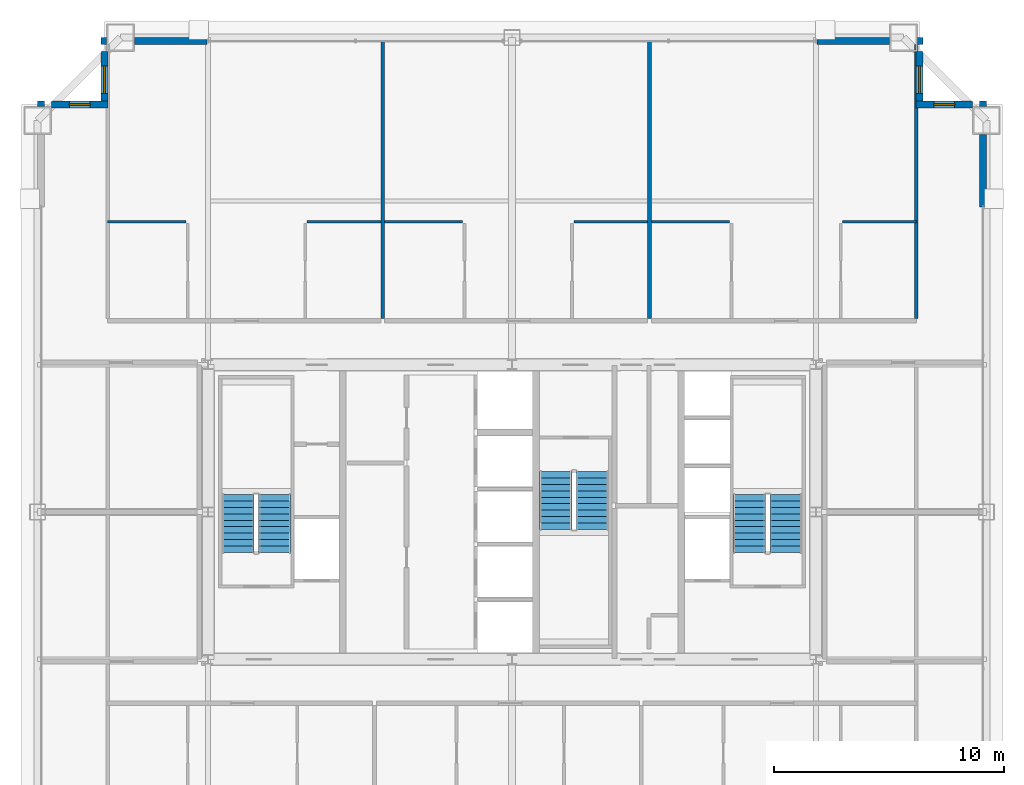
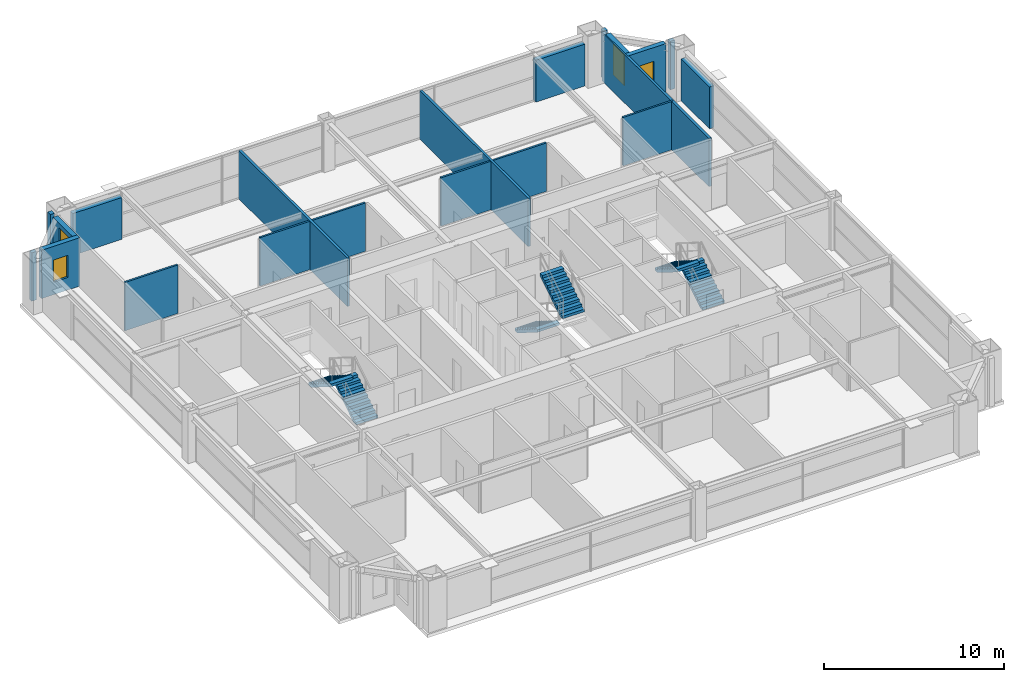
# One storey, part 35 of 36: 20 walls, 6 stair flights, 4 windows, 4 openings, 3 elements without a shape of their own.
"""IFC4 building model written with IfcOpenShell, lengths in metres."""

from ifc_helpers import new_model, si_unit, direction, frame, frame_2d, origin, place, context, subcontext, project, spatial, polyline, rectangle, outline, extrude, source, transform, mapped, material, layer, layer_set, type_object, element, fill, aggregate, save


model = new_model("IFC4")

# Units and contexts
model_context = context("Model", 3, precision=1e-05, world=origin(), true_north=direction((0.0, 1.0)))
body_context = subcontext(model_context, "Body", "Model", "MODEL_VIEW")
ifc_project = project(units=[si_unit("LENGTHUNIT", "METRE"), si_unit("AREAUNIT", "SQUARE_METRE"), si_unit("VOLUMEUNIT", "CUBIC_METRE"), si_unit("PLANEANGLEUNIT", "RADIAN"), si_unit("MASSUNIT", "GRAM", prefix="KILO"), si_unit("THERMODYNAMICTEMPERATUREUNIT", "KELVIN"), si_unit("POWERUNIT", "WATT")], contexts=[model_context])

# Site, building, storey
site_placement = place(None, origin())
site = spatial("IfcSite", under=ifc_project, at=site_placement, CompositionType="ELEMENT")
building_placement = place(site_placement, origin())
building = spatial("IfcBuilding", under=site, at=building_placement, Name="Yuzanri Waterfront Tower", CompositionType="ELEMENT")
storey_placement = place(building_placement, frame((0.0, 0.0, 238.10009765625)))
storey = spatial("IfcBuildingStorey", under=building, at=storey_placement, Name="L63", CompositionType="ELEMENT", Elevation=238.10009765625)

# Wall, opening, window
ifc_material_1 = material(Name="Honed Chongqing Dark Basalt Stone", Category="masonry")
ifc_layer_1 = layer(ifc_material_1, 0.300048828125)
ifc_layer_set_1 = layer_set([ifc_layer_1], Name="Honed Chongqing Dark Basalt Stone")
wall_type_1 = type_object("IfcWallType", Name="Bronze Rainscreen Insulated Spandrel Portal Wall 300", PredefinedType="SOLIDWALL", material=ifc_layer_set_1)
wall_1_placement = place(storey_placement, frame((19.449951171875, 43.5, 0.0), z_axis=(0.0, 0.0, 1.0), x_axis=(-1.0, 0.0, 0.0)))
wall_1 = element("IfcWall", 1, at=wall_1_placement, inside=storey, type_object=wall_type_1, Name="L63 Notched Corner Masonry Wall NW-X", PredefinedType="SOLIDWALL", context=body_context, shape_type="SweptSolid", body=[
    extrude(rectangle(XDim=2.449951171875, YDim=0.300048828125, at=frame_2d((1.22509765625, 0.0))), origin(), (0.0, 0.0, 1.0), 3.27978515625),
])
opening_1_placement = place(wall_1_placement, frame((0.77490234375, 0.0, 0.85009765625)))
opening_1 = element("IfcOpeningElement", 2, at=opening_1_placement, cuts=wall_1, Name="Opening WN-05", PredefinedType="OPENING", context=body_context, shape_type="SweptSolid", body=[
    extrude(rectangle(XDim=0.89990234375, YDim=1.5, at=frame_2d((0.449951171875, 0.75))), frame((0.0, 0.1650390625, 0.0), z_axis=(0.0, -1.0, 0.0), x_axis=(1.0, 0.0, 0.0)), (0.0, 0.0, 1.0), 0.329833984375),
])
ifc_material_2 = material(Name="Double-Silver Low-E Insulated Glass", Category="glass")
window_type_1 = type_object("IfcWindowType", Name="Anodized Bronze Service and Stairwell Smoke-Vent Window 900x1500", PartitioningType="SINGLE_PANEL", PredefinedType="WINDOW", material=ifc_material_2)
shared_shape_1 = source(origin(), body_context, "Body", "SweptSolid", [
    extrude(rectangle(XDim=0.89990234375, YDim=1.5, at=frame_2d((0.449951171875, 0.75))), frame((0.0, 0.030029296875, 0.0), z_axis=(0.0, -1.0, 0.0), x_axis=(1.0, 0.0, 0.0)), (0.0, 0.0, 1.0), 0.06005859375),
])
window_1_placement = place(opening_1_placement, origin())
window_1 = element("IfcWindow", 3, at=window_1_placement, inside=storey, type_object=window_type_1, Name="L63 Notched Corner Window NW-X", OverallHeight=1.5, OverallWidth=0.89990234375, PartitioningType="SINGLE_PANEL", PredefinedType="WINDOW", context=body_context, shape_type="MappedRepresentation", body=[
    mapped(shared_shape_1, transform((0.0, 0.0, 0.0), scale=1.0)),
])
fill(opening_1, window_1)

wall_2_placement = place(storey_placement, frame((19.300048828125, 45.800048828125, 0.0), z_axis=(0.0, 0.0, 1.0), x_axis=(0.0, -1.0, 0.0)))
wall_2 = element("IfcWall", 4, at=wall_2_placement, inside=storey, type_object=wall_type_1, Name="L63 Notched Corner Masonry Wall NW-Y", PredefinedType="SOLIDWALL", context=body_context, shape_type="SweptSolid", body=[
    extrude(rectangle(XDim=2.449951171875, YDim=0.300048828125, at=frame_2d((1.22509765625, 0.0))), origin(), (0.0, 0.0, 1.0), 3.27978515625),
])
opening_2_placement = place(wall_2_placement, frame((0.625, 0.0, 0.85009765625)))
opening_2 = element("IfcOpeningElement", 5, at=opening_2_placement, cuts=wall_2, Name="Opening WN-02", PredefinedType="OPENING", context=body_context, shape_type="SweptSolid", body=[
    extrude(rectangle(XDim=1.199951171875, YDim=2.10009765625, at=frame_2d((0.60009765625, 1.050048828125))), frame((0.0, 0.1650390625, 0.0), z_axis=(0.0, -1.0, 0.0), x_axis=(1.0, 0.0, 0.0)), (0.0, 0.0, 1.0), 0.329833984375),
])
ifc_material_3 = material(Name="Double-Silver Low-E Insulated Glass", Category="glass")
window_type_2 = type_object("IfcWindowType", Name="Anodized Bronze Notched Corner Deep-Set Slot Window 1200x2100", PartitioningType="SINGLE_PANEL", PredefinedType="WINDOW", material=ifc_material_3)
shared_shape_2 = source(origin(), body_context, "Body", "SweptSolid", [
    extrude(rectangle(XDim=1.199951171875, YDim=2.10009765625, at=frame_2d((0.60009765625, 1.050048828125))), frame((0.0, 0.030029296875, 0.0), z_axis=(0.0, -1.0, 0.0), x_axis=(1.0, 0.0, 0.0)), (0.0, 0.0, 1.0), 0.06005859375),
])
window_2_placement = place(opening_2_placement, origin())
window_2 = element("IfcWindow", 6, at=window_2_placement, inside=storey, type_object=window_type_2, Name="L63 Notched Corner Window NW-Y", OverallHeight=2.10009765625, OverallWidth=1.199951171875, PartitioningType="SINGLE_PANEL", PredefinedType="WINDOW", context=body_context, shape_type="MappedRepresentation", body=[
    mapped(shared_shape_2, transform((0.0, 0.0, 0.0), scale=1.0)),
])
fill(opening_2, window_2)

wall_3_placement = place(storey_placement, frame((57.0, 43.5, 0.0), z_axis=(0.0, 0.0, 1.0), x_axis=(-1.0, 0.0, 0.0)))
wall_3 = element("IfcWall", 7, at=wall_3_placement, inside=storey, type_object=wall_type_1, Name="L63 Notched Corner Masonry Wall NE-X", PredefinedType="SOLIDWALL", context=body_context, shape_type="SweptSolid", body=[
    extrude(rectangle(XDim=2.449951171875, YDim=0.300048828125, at=frame_2d((1.22509765625, 0.0))), origin(), (0.0, 0.0, 1.0), 3.27978515625),
])
opening_3_placement = place(wall_3_placement, frame((0.77490234375, 0.0, 0.85009765625)))
opening_3 = element("IfcOpeningElement", 8, at=opening_3_placement, cuts=wall_3, Name="Opening WN-05", PredefinedType="OPENING", context=body_context, shape_type="SweptSolid", body=[
    extrude(rectangle(XDim=0.89990234375, YDim=1.5, at=frame_2d((0.449951171875, 0.75))), frame((0.0, 0.1650390625, 0.0), z_axis=(0.0, -1.0, 0.0), x_axis=(1.0, 0.0, 0.0)), (0.0, 0.0, 1.0), 0.329833984375),
])
window_3_placement = place(opening_3_placement, origin())
window_3 = element("IfcWindow", 9, at=window_3_placement, inside=storey, type_object=window_type_1, Name="L63 Notched Corner Window NE-X", OverallHeight=1.5, OverallWidth=0.89990234375, PartitioningType="SINGLE_PANEL", PredefinedType="WINDOW", context=body_context, shape_type="MappedRepresentation", body=[
    mapped(shared_shape_1, transform((0.0, 0.0, 0.0), scale=1.0)),
])
fill(opening_3, window_3)

wall_4_placement = place(storey_placement, frame((54.699951171875, 43.35009765625, 0.0), z_axis=(0.0, 0.0, 1.0), x_axis=(0.0, 1.0, 0.0)))
wall_4 = element("IfcWall", 10, at=wall_4_placement, inside=storey, type_object=wall_type_1, Name="L63 Notched Corner Masonry Wall NE-Y", PredefinedType="SOLIDWALL", context=body_context, shape_type="SweptSolid", body=[
    extrude(rectangle(XDim=2.449951171875, YDim=0.300048828125, at=frame_2d((1.22509765625, 0.0))), origin(), (0.0, 0.0, 1.0), 3.27978515625),
])
opening_4_placement = place(wall_4_placement, frame((0.625, 0.0, 0.85009765625)))
opening_4 = element("IfcOpeningElement", 11, at=opening_4_placement, cuts=wall_4, Name="Opening WN-02", PredefinedType="OPENING", context=body_context, shape_type="SweptSolid", body=[
    extrude(rectangle(XDim=1.199951171875, YDim=2.10009765625, at=frame_2d((0.60009765625, 1.050048828125))), frame((0.0, 0.1650390625, 0.0), z_axis=(0.0, -1.0, 0.0), x_axis=(1.0, 0.0, 0.0)), (0.0, 0.0, 1.0), 0.329833984375),
])
window_4_placement = place(opening_4_placement, origin())
window_4 = element("IfcWindow", 12, at=window_4_placement, inside=storey, type_object=window_type_2, Name="L63 Notched Corner Window NE-Y", OverallHeight=2.10009765625, OverallWidth=1.199951171875, PartitioningType="SINGLE_PANEL", PredefinedType="WINDOW", context=body_context, shape_type="MappedRepresentation", body=[
    mapped(shared_shape_2, transform((0.0, 0.0, 0.0), scale=1.0)),
])
fill(opening_4, window_4)

# Walls
shared_shape_3 = source(origin(), body_context, "Body", "SweptSolid", [
    extrude(rectangle(XDim=0.25, YDim=0.300048828125, at=frame_2d((0.125, 0.0))), origin(), (0.0, 0.0, 1.0), 3.27978515625),
])
for number, where, z_axis, x_axis, name in (
    (13, (19.14990234375, 46.25, 0.0), (0.0, 0.0, 1.0), (1.0, 0.0, 0.0), "L63 Corner Column Shoulder Return CNW"),
    (14, (54.60009765625, 46.25, 0.0), (0.0, 0.0, 1.0), (1.0, 0.0, 0.0), "L63 Corner Column Shoulder Return CNE"),
    (15, (16.550048828125, 43.39990234375, 0.0), (0.0, 0.0, 1.0), (0.0, 1.0, 0.0), "L63 Corner Column Shoulder Return CWN"),
    (16, (57.449951171875, 43.39990234375, 0.0), (0.0, 0.0, 1.0), (0.0, 1.0, 0.0), "L63 Corner Column Shoulder Return CEN"),
):
    element("IfcWall", number, at=place(storey_placement, frame(where, z_axis=z_axis, x_axis=x_axis)), inside=storey, type_object=wall_type_1, Name=name, PredefinedType="SOLIDWALL", context=body_context, shape_type="MappedRepresentation", body=[
        mapped(shared_shape_3, transform((0.0, 0.0, 0.0), scale=1.0)),
    ])
shared_shape_4 = source(origin(), body_context, "Body", "SweptSolid", [
    extrude(rectangle(XDim=3.14990234375, YDim=0.300048828125, at=frame_2d((1.574951171875, 0.0))), origin(), (0.0, 0.0, 1.0), 2.8349609375),
])
for number, where, z_axis, x_axis, name in (
    (17, (20.60009765625, 46.25, 0.0), (0.0, 0.0, 1.0), (1.0, 0.0, 0.0), "L63 N Left Braced Masonry Shoulder"),
    (18, (50.25, 46.25, 0.0), (0.0, 0.0, 1.0), (1.0, 0.0, 0.0), "L63 N Right Braced Masonry Shoulder"),
    (19, (57.449951171875, 39.050048828125, 0.0), (0.0, 0.0, 1.0), (0.0, 1.0, 0.0), "L63 E Right Braced Masonry Shoulder"),
):
    element("IfcWall", number, at=place(storey_placement, frame(where, z_axis=z_axis, x_axis=x_axis)), inside=storey, type_object=wall_type_1, Name=name, PredefinedType="SOLIDWALL", context=body_context, shape_type="MappedRepresentation", body=[
        mapped(shared_shape_4, transform((0.0, 0.0, 0.0), scale=1.0)),
    ])
ifc_material_4 = material(Name="Moisture-Resistant Gypsum Stud Wall", Category="gypsum")
ifc_layer_2 = layer(ifc_material_4, 0.1201171875)
ifc_layer_set_2 = layer_set([ifc_layer_2], Name="Moisture-Resistant Gypsum Stud Wall")
wall_type_2 = type_object("IfcWallType", Name="Bathroom and Kitchen Wet Partition 120", PredefinedType="PARTITIONING", material=ifc_layer_set_2)
shared_shape_5 = source(origin(), body_context, "Body", "SweptSolid", [
    extrude(rectangle(XDim=3.400146484375, YDim=0.1201171875, at=frame_2d((1.7001953125, 0.0))), origin(), (0.0, 0.0, 1.0), 3.27978515625),
])
for number, where, z_axis, x_axis, name in (
    (20, (19.43994140625, 38.39990234375, 0.0), (0.0, 0.0, 1.0), (1.0, 0.0, 0.0), "L63 Partition UW-L63-RN1-SUB-1-N"),
    (21, (31.4609375, 38.39990234375, 0.0), (0.0, 0.0, 1.0), (1.0, 0.0, 0.0), "L63 Partition UW-L63-RN2-SUB-1-N"),
):
    element("IfcWall", number, at=place(storey_placement, frame(where, z_axis=z_axis, x_axis=x_axis)), inside=storey, type_object=wall_type_2, Name=name, PredefinedType="PARTITIONING", context=body_context, shape_type="MappedRepresentation", body=[
        mapped(shared_shape_5, transform((0.0, 0.0, 0.0), scale=1.0)),
    ])
shared_shape_6 = source(origin(), body_context, "Body", "SweptSolid", [
    extrude(rectangle(XDim=3.199951171875, YDim=0.1201171875, at=frame_2d((1.60009765625, 0.0))), origin(), (0.0, 0.0, 1.0), 3.27978515625),
])
for number, where, z_axis, x_axis, name in (
    (22, (28.10107421875, 38.39990234375, 0.0), (0.0, 0.0, 1.0), (1.0, 0.0, 0.0), "L63 Partition UW-L63-RN1-SUB-2-N"),
    (23, (39.68994140625, 38.39990234375, 0.0), (0.0, 0.0, 1.0), (1.0, 0.0, 0.0), "L63 Partition UW-L63-RN2-SUB-2-N"),
    (24, (51.360107421875, 38.39990234375, 0.0), (0.0, 0.0, 1.0), (1.0, 0.0, 0.0), "L63 Partition UW-L63-RN3-SUB-2-N"),
):
    element("IfcWall", number, at=place(storey_placement, frame(where, z_axis=z_axis, x_axis=x_axis)), inside=storey, type_object=wall_type_2, Name=name, PredefinedType="PARTITIONING", context=body_context, shape_type="MappedRepresentation", body=[
        mapped(shared_shape_6, transform((0.0, 0.0, 0.0), scale=1.0)),
    ])
ifc_material_5 = material(Name="Gypsum Fireboard Acoustic Stud Wall", Category="gypsum")
ifc_layer_3 = layer(ifc_material_5, 0.159912109375)
ifc_layer_set_3 = layer_set([ifc_layer_3], Name="Gypsum Fireboard Acoustic Stud Wall")
wall_type_3 = type_object("IfcWallType", Name="Acoustic Suite Demising Partition 160", PredefinedType="PARTITIONING", material=ifc_layer_set_3)
shared_shape_7 = source(origin(), body_context, "Body", "SweptSolid", [
    extrude(rectangle(XDim=11.89013671875, YDim=0.159912109375, at=frame_2d((5.945068359375, 0.0))), origin(), (0.0, 0.0, 1.0), 3.27978515625),
])
wall_5_placement = place(storey_placement, frame((54.550048828125, 34.2099609375, 0.0), z_axis=(0.0, 0.0, 1.0), x_axis=(0.0, 1.0, 0.0)))
element("IfcWall", 25, at=wall_5_placement, inside=storey, type_object=wall_type_3, Name="L63 North Band East End Wall", PredefinedType="PARTITIONING", context=body_context, shape_type="MappedRepresentation", body=[
    mapped(shared_shape_7, transform((0.0, 0.0, 0.0), scale=1.0)),
])
shared_shape_8 = source(origin(), body_context, "Body", "SweptSolid", [
    extrude(rectangle(XDim=3.39990234375, YDim=0.1201171875, at=frame_2d((1.699951171875, 0.0))), origin(), (0.0, 0.0, 1.0), 3.27978515625),
])
wall_6_placement = place(storey_placement, frame((43.050048828125, 38.39990234375, 0.0), z_axis=(0.0, 0.0, 1.0), x_axis=(1.0, 0.0, 0.0)))
element("IfcWall", 26, at=wall_6_placement, inside=storey, type_object=wall_type_2, Name="L63 Partition UW-L63-RN3-SUB-1-N", PredefinedType="PARTITIONING", context=body_context, shape_type="MappedRepresentation", body=[
    mapped(shared_shape_8, transform((0.0, 0.0, 0.0), scale=1.0)),
])
shared_shape_9 = source(origin(), body_context, "Body", "SweptSolid", [
    extrude(rectangle(XDim=12.0400390625, YDim=0.159912109375, at=frame_2d((6.02001953125, 0.0))), origin(), (0.0, 0.0, 1.0), 3.27978515625),
])
for number, where, z_axis, x_axis, name in (
    (27, (31.381103515625, 34.2099609375, 0.0), (0.0, 0.0, 1.0), (0.0, 1.0, 0.0), "L63-RN1 Party Wall"),
    (28, (42.969970703125, 34.2099609375, 0.0), (0.0, 0.0, 1.0), (0.0, 1.0, 0.0), "L63-RN2 Party Wall"),
):
    element("IfcWall", number, at=place(storey_placement, frame(where, z_axis=z_axis, x_axis=x_axis)), inside=storey, type_object=wall_type_3, Name=name, PredefinedType="PARTITIONING", context=body_context, shape_type="MappedRepresentation", body=[
        mapped(shared_shape_9, transform((0.0, 0.0, 0.0), scale=1.0)),
    ])

# Stair, stair flights
ifc_material_6 = material(Name="Concrete C40", Category="concrete")
stair_type = type_object("IfcStairType", Name="Concrete C40 Core Dogleg Exit Stair", PredefinedType="HALF_TURN_STAIR", material=ifc_material_6)
stair_1_placement = place(storey_placement, origin())
stair_1 = element("IfcStair", 29, at=stair_1_placement, inside=storey, type_object=stair_type, Name="L63 Smoke-Proof Core Stair ST-01", PredefinedType="HALF_TURN_STAIR")
ifc_material_7 = material(Name="Concrete C40", Category="concrete")
stair_flight_type = type_object("IfcStairFlightType", Name="Concrete C40 Precast Stair Flight 1380", PredefinedType="STRAIGHT", material=ifc_material_7)
shared_shape_10 = source(origin(), body_context, "Body", "SweptSolid", [
    extrude(outline(polyline([(0.0, 0.0), (0.0, 0.175048828125), (0.280029296875, 0.175048828125), (0.280029296875, 0.35009765625), (0.56005859375, 0.35009765625), (0.56005859375, 0.52490234375), (0.840087890625, 0.52490234375), (0.840087890625, 0.699951171875), (1.1201171875, 0.699951171875), (1.1201171875, 0.875), (1.39990234375, 0.875), (1.39990234375, 1.050048828125), (1.679931640625, 1.050048828125), (1.679931640625, 1.22509765625), (1.9599609375, 1.22509765625), (1.9599609375, 1.39990234375), (2.239990234375, 1.39990234375), (2.239990234375, 1.574951171875), (2.52001953125, 1.574951171875), (2.52001953125, 1.75), (2.52001953125, 1.398193359375), (0.28271484375, 0.0), (0.0, 0.0)])), frame((0.0, 0.699951171875, 0.0), z_axis=(0.0, -1.0, 0.0), x_axis=(1.0, 0.0, 0.0)), (0.0, 0.0, 1.0), 1.39990234375),
])
stair_flight_1_placement = place(storey_placement, frame((26.699951171875, 24.0400390625, 0.0), z_axis=(0.0, 0.0, 1.0), x_axis=(0.0, 1.0, 0.0)))
stair_flight_1 = element("IfcStairFlight", 30, at=stair_flight_1_placement, type_object=stair_flight_type, Name="ST-01 flight 1", NumberOfRisers=10, NumberOfTreads=9, PredefinedType="STRAIGHT", RiserHeight=0.175, TreadLength=0.28, context=body_context, shape_type="MappedRepresentation", body=[
    mapped(shared_shape_10, transform((0.0, 0.0, 0.0), scale=1.0)),
])
stair_flight_2_placement = place(storey_placement, frame((25.10009765625, 26.56005859375, 1.75), z_axis=(0.0, 0.0, 1.0), x_axis=(0.0, -1.0, 0.0)))
stair_flight_2 = element("IfcStairFlight", 31, at=stair_flight_2_placement, type_object=stair_flight_type, Name="ST-01 flight 2", NumberOfRisers=10, NumberOfTreads=9, PredefinedType="STRAIGHT", RiserHeight=0.175, TreadLength=0.28, context=body_context, shape_type="MappedRepresentation", body=[
    mapped(shared_shape_10, transform((0.0, 0.0, 0.0), scale=1.0)),
])
aggregate(stair_1, [stair_flight_1, stair_flight_2])

stair_2_placement = place(storey_placement, origin())
stair_2 = element("IfcStair", 32, at=stair_2_placement, inside=storey, type_object=stair_type, Name="L63 Smoke-Proof Core Stair ST-02", PredefinedType="HALF_TURN_STAIR")
stair_flight_3_placement = place(storey_placement, frame((48.89990234375, 24.0400390625, 0.0), z_axis=(0.0, 0.0, 1.0), x_axis=(0.0, 1.0, 0.0)))
stair_flight_3 = element("IfcStairFlight", 33, at=stair_flight_3_placement, type_object=stair_flight_type, Name="ST-02 flight 1", NumberOfRisers=10, NumberOfTreads=9, PredefinedType="STRAIGHT", RiserHeight=0.175, TreadLength=0.28, context=body_context, shape_type="MappedRepresentation", body=[
    mapped(shared_shape_10, transform((0.0, 0.0, 0.0), scale=1.0)),
])
stair_flight_4_placement = place(storey_placement, frame((47.300048828125, 26.56005859375, 1.75), z_axis=(0.0, 0.0, 1.0), x_axis=(0.0, -1.0, 0.0)))
stair_flight_4 = element("IfcStairFlight", 34, at=stair_flight_4_placement, type_object=stair_flight_type, Name="ST-02 flight 2", NumberOfRisers=10, NumberOfTreads=9, PredefinedType="STRAIGHT", RiserHeight=0.175, TreadLength=0.28, context=body_context, shape_type="MappedRepresentation", body=[
    mapped(shared_shape_10, transform((0.0, 0.0, 0.0), scale=1.0)),
])
aggregate(stair_2, [stair_flight_3, stair_flight_4])

stair_3_placement = place(storey_placement, origin())
stair_3 = element("IfcStair", 35, at=stair_3_placement, inside=storey, type_object=stair_type, Name="L63 Smoke-Proof Core Stair ST-03", PredefinedType="HALF_TURN_STAIR")
stair_flight_5_placement = place(storey_placement, frame((38.89990234375, 27.56005859375, 0.0), z_axis=(0.0, 0.0, 1.0), x_axis=(0.0, -1.0, 0.0)))
stair_flight_5 = element("IfcStairFlight", 36, at=stair_flight_5_placement, type_object=stair_flight_type, Name="ST-03 flight 1", NumberOfRisers=10, NumberOfTreads=9, PredefinedType="STRAIGHT", RiserHeight=0.175, TreadLength=0.28, context=body_context, shape_type="MappedRepresentation", body=[
    mapped(shared_shape_10, transform((0.0, 0.0, 0.0), scale=1.0)),
])
stair_flight_6_placement = place(storey_placement, frame((40.5, 25.0400390625, 1.75), z_axis=(0.0, 0.0, 1.0), x_axis=(0.0, 1.0, 0.0)))
stair_flight_6 = element("IfcStairFlight", 37, at=stair_flight_6_placement, type_object=stair_flight_type, Name="ST-03 flight 2", NumberOfRisers=10, NumberOfTreads=9, PredefinedType="STRAIGHT", RiserHeight=0.175, TreadLength=0.28, context=body_context, shape_type="MappedRepresentation", body=[
    mapped(shared_shape_10, transform((0.0, 0.0, 0.0), scale=1.0)),
])
aggregate(stair_3, [stair_flight_5, stair_flight_6])

save(model, "model.ifc")
